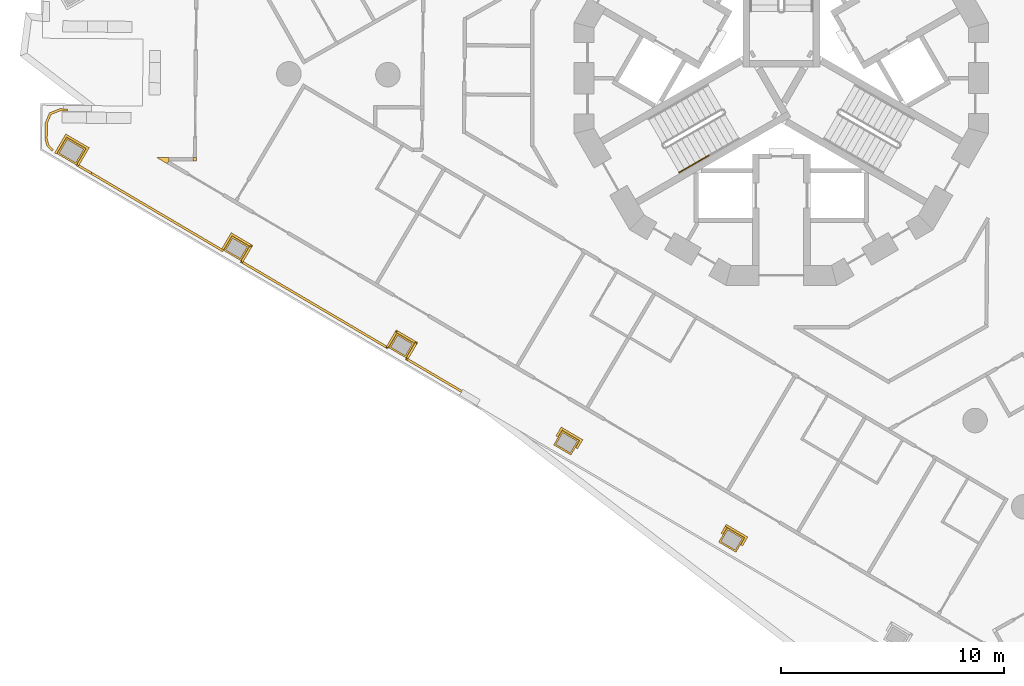
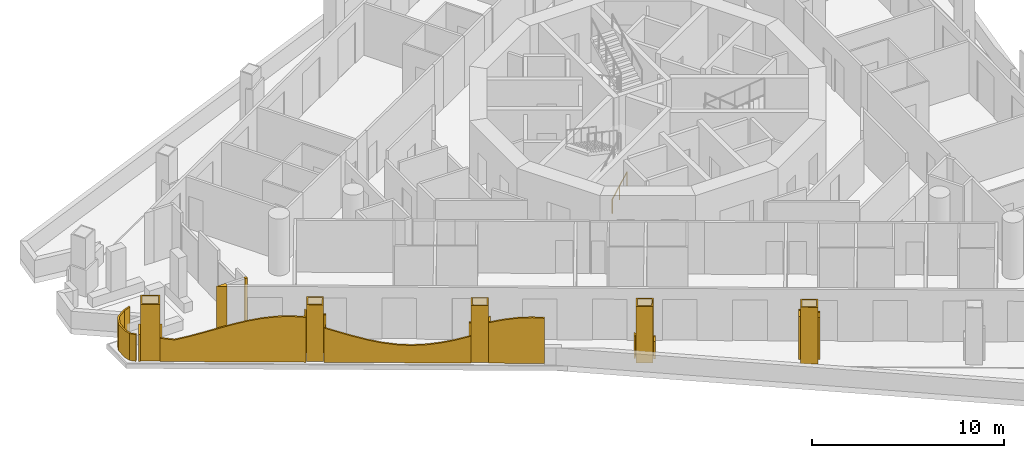
# One storey, part 11 of 18: 7 coverings, 5 railings.
"""IFC4 building model written with IfcOpenShell, lengths in metres."""

from ifc_helpers import new_model, si_unit, direction, frame, origin, origin_2d, place, context, subcontext, project, spatial, polyline, circle, outline, extrude, material, layer, layer_set, type_object, element, save


model = new_model("IFC4")

# Units and contexts
model_context = context("Model", 3, precision=1e-05, world=origin(), true_north=direction((0.0, 1.0)))
body_context = subcontext(model_context, "Body", "Model", "MODEL_VIEW")
ifc_project = project(units=[si_unit("LENGTHUNIT", "METRE"), si_unit("AREAUNIT", "SQUARE_METRE"), si_unit("VOLUMEUNIT", "CUBIC_METRE"), si_unit("PLANEANGLEUNIT", "RADIAN"), si_unit("MASSUNIT", "GRAM", prefix="KILO")], contexts=[model_context])

# Site, building, storey
site_placement = place(None, origin())
site = spatial("IfcSite", under=ifc_project, at=site_placement, CompositionType="ELEMENT")
building_placement = place(site_placement, origin())
building = spatial("IfcBuilding", under=site, at=building_placement, Name="Trine Commons Tower", CompositionType="ELEMENT")
storey_placement = place(building_placement, frame((0.0, 0.0, 161.10009765625)))
storey = spatial("IfcBuildingStorey", under=building, at=storey_placement, Name="L41", CompositionType="ELEMENT", Elevation=161.10009765625)

# Coverings
ifc_material_1 = material(Name="Aluminium-framed insulated wall panel", Category="aluminium")
ifc_layer_1 = layer(ifc_material_1, 0.14990234375)
ifc_layer_set_1 = layer_set([ifc_layer_1], Name="Aluminium-framed insulated wall panel")
covering_type_1 = type_object("IfcCoveringType", Name="Glazing corner post, aluminium", PredefinedType="CLADDING", material=ifc_layer_set_1)
covering_1_placement = place(storey_placement, origin())
element("IfcCovering", 1, at=covering_1_placement, inside=storey, type_object=covering_type_1, Name="Glazing corner post 5-01", PredefinedType="CLADDING", context=body_context, shape_type="SweptSolid", body=[
    extrude(outline(polyline([(52.519775390625, 58.669921875), (52.595947265625, 58.799072265625), (52.59716796875, 58.948974609375), (52.037353515625, 58.953857421875), (52.519775390625, 58.669921875)])), origin(), (0.0, 0.0, 1.0), 3.2998046875),
])
covering_2_placement = place(storey_placement, origin())
element("IfcCovering", 2, at=covering_2_placement, inside=storey, type_object=covering_type_1, Name="Glazing corner post 5-02", PredefinedType="CLADDING", context=body_context, shape_type="SweptSolid", body=[
    extrude(outline(polyline([(53.681640625, 58.78955078125), (53.83154296875, 58.7880859375), (53.8330078125, 58.938232421875), (53.682861328125, 58.939453125), (53.681640625, 58.78955078125)])), origin(), (0.0, 0.0, 1.0), 3.2998046875),
])
ifc_material_2 = material(Name="Limestone, honed", Category="masonry")
ifc_layer_2 = layer(ifc_material_2, 0.074951171875)
ifc_layer_set_2 = layer_set([ifc_layer_2], Name="Limestone, honed")
covering_type_2 = type_object("IfcCoveringType", Name="Limestone column cladding 75", PredefinedType="CLADDING", material=ifc_layer_set_2)
covering_3_placement = place(storey_placement, origin())
element("IfcCovering", 3, at=covering_3_placement, inside=storey, type_object=covering_type_2, Name="Limestone pier cladding 5-03", PredefinedType="CLADDING", context=body_context, shape_type="SweptSolid", body=[
    extrude(outline(polyline([(77.57568359375, 42.384521484375), (77.195068359375, 41.73828125), (77.970703125, 41.281494140625), (78.351318359375, 41.927734375), (77.57568359375, 42.384521484375)]), holes=[polyline([(77.602294921875, 42.28173828125), (77.2978515625, 41.764892578125), (77.944091796875, 41.38427734375), (78.24853515625, 41.901123046875), (77.602294921875, 42.28173828125)])]), origin(), (0.0, 0.0, 1.0), 3.599853515625),
])
covering_4_placement = place(storey_placement, origin())
element("IfcCovering", 4, at=covering_4_placement, inside=storey, type_object=covering_type_2, Name="Limestone pier cladding 5-04", PredefinedType="CLADDING", context=body_context, shape_type="SweptSolid", body=[
    extrude(outline(polyline([(70.191162109375, 46.734375), (69.810302734375, 46.088134765625), (70.5859375, 45.63134765625), (70.966552734375, 46.277587890625), (70.191162109375, 46.734375)]), holes=[polyline([(70.2177734375, 46.631591796875), (69.9130859375, 46.11474609375), (70.559326171875, 45.734130859375), (70.864013671875, 46.251220703125), (70.2177734375, 46.631591796875)])]), origin(), (0.0, 0.0, 1.0), 3.599853515625),
])
covering_5_placement = place(storey_placement, origin())
element("IfcCovering", 5, at=covering_5_placement, inside=storey, type_object=covering_type_2, Name="Limestone pier cladding 5-05", PredefinedType="CLADDING", context=body_context, shape_type="SweptSolid", body=[
    extrude(outline(polyline([(62.806396484375, 51.084228515625), (62.42578125, 50.43798828125), (63.201171875, 49.981201171875), (63.581787109375, 50.62744140625), (62.806396484375, 51.084228515625)]), holes=[polyline([(62.8330078125, 50.981689453125), (62.5283203125, 50.464599609375), (63.174560546875, 50.083984375), (63.479248046875, 50.60107421875), (62.8330078125, 50.981689453125)])]), origin(), (0.0, 0.0, 1.0), 3.599853515625),
])
covering_6_placement = place(storey_placement, origin())
element("IfcCovering", 6, at=covering_6_placement, inside=storey, type_object=covering_type_2, Name="Limestone pier cladding 5-06", PredefinedType="CLADDING", context=body_context, shape_type="SweptSolid", body=[
    extrude(outline(polyline([(55.421630859375, 55.43408203125), (55.041015625, 54.7880859375), (55.81640625, 54.331298828125), (56.197265625, 54.977294921875), (55.421630859375, 55.43408203125)]), holes=[polyline([(55.4482421875, 55.33154296875), (55.143798828125, 54.814453125), (55.789794921875, 54.433837890625), (56.094482421875, 54.950927734375), (55.4482421875, 55.33154296875)])]), origin(), (0.0, 0.0, 1.0), 3.599853515625),
])
covering_7_placement = place(storey_placement, origin())
element("IfcCovering", 7, at=covering_7_placement, inside=storey, type_object=covering_type_2, Name="Limestone pier cladding 5-07", PredefinedType="CLADDING", context=body_context, shape_type="SweptSolid", body=[
    extrude(outline(polyline([(48.019287109375, 59.8525390625), (47.587890625, 59.1201171875), (48.449462890625, 58.612548828125), (48.880859375, 59.344970703125), (48.019287109375, 59.8525390625)]), holes=[polyline([(48.0458984375, 59.75), (47.690673828125, 59.146728515625), (48.423095703125, 58.71533203125), (48.7783203125, 59.318603515625), (48.0458984375, 59.75)])]), origin(), (0.0, 0.0, 1.0), 3.599853515625),
])

# Railings
ifc_material_3 = material(Name="Stainless steel handrail", Category="steel")
railing_type_1 = type_object("IfcRailingType", Name="Stair handrail, steel 900", PredefinedType="HANDRAIL", material=ifc_material_3)
railing_1_placement = place(storey_placement, frame((75.43017578125, 58.27392578125, 0.14990234375)))
element("IfcRailing", 8, at=railing_1_placement, inside=storey, type_object=railing_type_1, Name="L41 ST2B stair handrail 1", PredefinedType="HANDRAIL", context=body_context, shape_type="SweptSolid", body=[
    extrude(circle(Radius=0.02099609375, at=origin_2d()), frame((0.0, 0.0, 0.87890625), z_axis=(0.76340495495, 0.440743040072, 0.472184759798), x_axis=(-0.499992328818, 0.866029832698, 0.0)), (0.0, 0.0, 1.0), 1.7470703125),
    extrude(circle(Radius=0.01513671875, at=origin_2d()), origin(), (0.0, 0.0, 1.0), 0.85791015625),
    extrude(circle(Radius=0.01513671875, at=origin_2d()), frame((0.6669921875, 0.385009765625, 0.41259765625)), (0.0, 0.0, 1.0), 0.85791015625),
    extrude(circle(Radius=0.01513671875, at=origin_2d()), frame((1.333740234375, 0.77001953125, 0.824951171875)), (0.0, 0.0, 1.0), 0.85791015625),
])
ifc_material_4 = material(Name="White powder-coated aluminium", Category="aluminium")
ifc_layer_3 = layer(ifc_material_4, 0.10009765625)
ifc_layer_set_3 = layer_set([ifc_layer_3], Name="White powder-coated aluminium")
railing_type_2 = type_object("IfcRailingType", Name="White balustrade band 100", PredefinedType="GUARDRAIL", material=ifc_layer_set_3)
railing_2_placement = place(storey_placement, origin())
element("IfcRailing", 9, at=railing_2_placement, inside=storey, type_object=railing_type_2, Name="Guard band L41 2", PredefinedType="GUARDRAIL", context=body_context, shape_type="SweptSolid", body=[
    extrude(outline(polyline([(0.0, 0.0), (0.46630859375, 0.0), (0.46630859375, 2.768310546875), (0.46630859375, 2.768310546875), (0.0, 2.670166015625), (0.0, 0.0)])), frame((78.1796875, 41.61669921875, 0.0), z_axis=(0.861759199374, -0.507317535962, 0.0), x_axis=(0.507317535962, 0.861759199374, 0.0)), (0.0, 0.0, 1.0), 0.10009765625),
    extrude(outline(polyline([(0.0, 0.0), (1.121826171875, 0.0), (1.12158203125, 2.890380859375), (0.560791015625, 2.840087890625), (0.0, 2.7490234375), (0.0, 0.0)])), frame((78.451416015625, 41.880126953125, 0.0), z_axis=(0.507533641699, 0.86163194146, 0.0), x_axis=(-0.86163194146, 0.507533641699, 0.0)), (0.0, 0.0, 1.0), 0.10009765625),
    extrude(outline(polyline([(0.0, 0.0), (0.465576171875, 0.0), (0.465576171875, 2.73095703125), (0.0, 2.88427734375), (0.0, 0.0)])), frame((77.623291015625, 42.48486328125, 0.0), z_axis=(-0.861583512807, 0.507615849298, 0.0), x_axis=(-0.507615849298, -0.861583512807, 0.0)), (0.0, 0.0, 1.0), 0.10009765625),
])
railing_3_placement = place(storey_placement, origin())
element("IfcRailing", 10, at=railing_3_placement, inside=storey, type_object=railing_type_2, Name="Guard band L41 3", PredefinedType="GUARDRAIL", context=body_context, shape_type="SweptSolid", body=[
    extrude(outline(polyline([(0.0, 0.0), (0.4658203125, 0.0), (0.4658203125, 1.150390625), (0.4658203125, 1.150390625), (0.0, 1.110595703125), (0.0, 0.0)])), frame((70.794677734375, 45.966796875, 0.0), z_axis=(0.861489342233, -0.507775652448, 0.0), x_axis=(0.507775652448, 0.861489342233, 0.0)), (0.0, 0.0, 1.0), 0.10009765625),
    extrude(outline(polyline([(0.0, 0.0), (1.12158203125, 0.0), (1.121826171875, 1.333984375), (0.560791015625, 1.2177734375), (0.0, 1.139404296875), (0.0, 0.0)])), frame((71.067138671875, 46.22998046875, 0.0), z_axis=(0.507372037804, 0.861727111825, 0.0), x_axis=(-0.861727111825, 0.507372037804, 0.0)), (0.0, 0.0, 1.0), 0.10009765625),
    extrude(outline(polyline([(0.0, 0.0), (0.46533203125, 0.0), (0.46533203125, 1.42724609375), (0.0, 1.310302734375), (0.0, 0.0)])), frame((70.238525390625, 46.834716796875, 0.0), z_axis=(-0.861812832498, 0.507226420588, 0.0), x_axis=(-0.507226420588, -0.861812832498, 0.0)), (0.0, 0.0, 1.0), 0.10009765625),
])
railing_4_placement = place(storey_placement, origin())
element("IfcRailing", 11, at=railing_4_placement, inside=storey, type_object=railing_type_2, Name="Guard band L41 4", PredefinedType="GUARDRAIL", context=body_context, shape_type="SweptSolid", body=[
    extrude(outline(polyline([(0.0, 0.0), (2.919677734375, 0.0), (2.919677734375, 2.564208984375), (2.91943359375, 2.564208984375), (2.154296875, 2.74658203125), (1.38916015625, 2.862060546875), (0.647705078125, 2.89990234375), (0.623779296875, 2.89990234375), (0.0, 2.86474609375), (0.0, 0.0)])), frame((65.686279296875, 48.43017578125, 0.0), z_axis=(0.507568170059, 0.861611602024, 0.0), x_axis=(-0.861611602024, 0.507568170059, 0.0)), (0.0, 0.0, 1.0), 0.10009765625),
    extrude(outline(polyline([(0.0, 0.0), (0.93701171875, 0.0), (0.93701171875, 2.30810546875), (0.468505859375, 2.45751953125), (0.0, 2.591796875), (0.0, 0.0)])), frame((63.17138671875, 49.9111328125, 0.0), z_axis=(0.861739888754, -0.507350336681, 0.0), x_axis=(0.507350336681, 0.861739888754, 0.0)), (0.0, 0.0, 1.0), 0.10009765625),
    extrude(outline(polyline([(0.0, 0.0), (1.122314453125, 0.0), (1.122314453125, 1.953369140625), (0.56103515625, 2.151123046875), (0.0, 2.341552734375), (0.0, 0.0)])), frame((63.682373046875, 50.579833984375, 0.0), z_axis=(0.507504882489, 0.861648881071, 0.0), x_axis=(-0.861648881071, 0.507504882489, 0.0)), (0.0, 0.0, 1.0), 0.10009765625),
    extrude(outline(polyline([(0.0, 0.0), (0.9365234375, 0.0), (0.936767578125, 1.666259765625), (0.46826171875, 1.824951171875), (0.0, 1.989501953125), (0.0, 0.0)])), frame((62.85400390625, 51.18505859375, 0.0), z_axis=(-0.861786754092, 0.507270727, 0.0), x_axis=(-0.507270727, -0.861786754092, 0.0)), (0.0, 0.0, 1.0), 0.10009765625),
    extrude(outline(polyline([(0.0, 0.0), (7.65185546875, 0.0), (7.65185546875, 2.1845703125), (6.88671875, 1.915283203125), (6.121337890625, 1.653564453125), (5.356201171875, 1.423095703125), (4.591064453125, 1.244140625), (3.825927734375, 1.13330078125), (3.130859375, 1.099853515625), (3.060791015625, 1.10009765625), (2.29541015625, 1.14794921875), (1.530517578125, 1.272216796875), (0.76513671875, 1.4619140625), (0.0, 1.69970703125), (0.0, 0.0)])), frame((62.37939453125, 50.378173828125, 0.0), z_axis=(0.507534557132, 0.861631402235, 0.0), x_axis=(-0.861631402235, 0.507534557132, 0.0)), (0.0, 0.0, 1.0), 0.10009765625),
    extrude(outline(polyline([(0.0, 0.0), (0.9365234375, 0.0), (0.9365234375, 2.458740234375), (0.46826171875, 2.30908203125), (0.0, 2.1494140625), (0.0, 0.0)])), frame((55.78662109375, 54.260986328125, 0.0), z_axis=(0.861605649191, -0.50757827503, 0.0), x_axis=(0.50757827503, 0.861605649191, 0.0)), (0.0, 0.0, 1.0), 0.10009765625),
    extrude(outline(polyline([(0.0, 0.0), (1.121826171875, 0.0), (1.12158203125, 2.724609375), (0.560791015625, 2.59033203125), (0.0, 2.427490234375), (0.0, 0.0)])), frame((56.297607421875, 54.9296875, 0.0), z_axis=(0.507533641699, 0.86163194146, 0.0), x_axis=(-0.86163194146, 0.507533641699, 0.0)), (0.0, 0.0, 1.0), 0.10009765625),
    extrude(outline(polyline([(0.0, 0.0), (0.937255859375, 0.0), (0.93701171875, 2.85791015625), (0.468505859375, 2.72998046875), (0.0, 2.70263671875), (0.0, 0.0)])), frame((55.469482421875, 55.534912109375, 0.0), z_axis=(-0.861693049497, 0.507429885254, 0.0), x_axis=(-0.507429885254, -0.861693049497, 0.0)), (0.0, 0.0, 1.0), 0.10009765625),
    extrude(outline(polyline([(0.0, 0.0), (7.602783203125, 0.0), (7.602783203125, 1.472412109375), (6.842529296875, 1.37158203125), (6.082275390625, 1.58935546875), (5.322021484375, 1.84326171875), (4.561767578125, 2.111328125), (3.801513671875, 2.369384765625), (3.041015625, 2.594482421875), (2.28076171875, 2.76708984375), (1.5205078125, 2.87158203125), (0.881591796875, 2.89990234375), (0.76025390625, 2.89892578125), (0.0, 2.846435546875), (0.0, 0.0)])), frame((54.9951171875, 54.727783203125, 0.0), z_axis=(0.507532262703, 0.861632753739, 0.0), x_axis=(-0.861632753739, 0.507532262703, 0.0)), (0.0, 0.0, 1.0), 0.10009765625),
    extrude(outline(polyline([(0.0, 0.0), (0.987060546875, 0.0), (0.98681640625, 1.699951171875), (0.493408203125, 1.6513671875), (0.0, 1.4375), (0.0, 0.0)])), frame((48.445068359375, 58.585693359375, 0.0), z_axis=(0.861590624305, -0.50760377866, 0.0), x_axis=(0.50760377866, 0.861590624305, 0.0)), (0.0, 0.0, 1.0), 0.10009765625),
    extrude(outline(polyline([(0.0, 0.0), (1.22119140625, 0.0), (1.22119140625, 1.699951171875), (0.610595703125, 1.699951171875), (0.486572265625, 1.699951171875), (0.0, 1.699951171875), (0.0, 0.0)])), frame((48.981201171875, 59.297607421875, 0.0), z_axis=(0.507421986998, 0.861697700537, 0.0), x_axis=(-0.861697700537, 0.507421986998, 0.0)), (0.0, 0.0, 1.0), 0.10009765625),
    extrude(outline(polyline([(0.0, 0.0), (0.986572265625, 0.0), (0.986328125, 1.699951171875), (0.4931640625, 1.699951171875), (0.0, 1.699951171875), (0.0, 0.0)])), frame((48.06689453125, 59.953125, 0.0), z_axis=(-0.861743291503, 0.507344557031, 0.0), x_axis=(-0.507344557031, -0.861743291503, 0.0)), (0.0, 0.0, 1.0), 0.10009765625),
])
railing_5_placement = place(storey_placement, origin())
element("IfcRailing", 12, at=railing_5_placement, inside=storey, type_object=railing_type_2, Name="Guard band L41 5", PredefinedType="GUARDRAIL", context=body_context, shape_type="SweptSolid", body=[
    extrude(outline(polyline([(0.0, 0.0), (0.33251953125, 0.0), (0.33251953125, 1.699951171875), (0.0, 1.699951171875), (0.0, 0.0)])), frame((47.364990234375, 59.221923828125, 0.0), z_axis=(0.713684088491, 0.700467716482, 0.0), x_axis=(-0.700467716482, 0.713684088491, 0.0)), (0.0, 0.0, 1.0), 0.10009765625),
    extrude(outline(polyline([(0.0, 0.0), (0.33203125, 0.0), (0.33203125, 1.699951171875), (0.0, 1.699951171875), (0.0, 0.0)])), frame((47.133056640625, 59.458251953125, 0.0), z_axis=(0.968076213747, 0.250656028009, 0.0), x_axis=(-0.250656028009, 0.968076213747, 0.0)), (0.0, 0.0, 1.0), 0.10009765625),
    extrude(outline(polyline([(0.0, 0.0), (0.720703125, 0.0), (0.720458984375, 1.699951171875), (0.0, 1.699951171875), (0.0, 0.0)])), frame((47.0498046875, 59.778076171875, 0.0), z_axis=(0.999961215453, -0.008807246478, 0.0), x_axis=(0.008807246478, 0.999961215453, 0.0)), (0.0, 0.0, 1.0), 0.10009765625),
    extrude(outline(polyline([(0.0, 0.0), (0.49169921875, 0.0), (0.491943359375, 1.843505859375), (0.0, 1.699951171875), (0.0, 0.0)])), frame((47.055908203125, 60.496826171875, 0.0), z_axis=(0.920500622845, -0.390741095026, 0.0), x_axis=(0.390741095026, 0.920500622845, 0.0)), (0.0, 0.0, 1.0), 0.10009765625),
    extrude(outline(polyline([(0.0, 0.0), (0.491455078125, 0.0), (0.491455078125, 2.001220703125), (0.0, 1.82861328125), (0.0, 0.0)])), frame((47.246826171875, 60.947998046875, 0.0), z_axis=(0.374643781772, -0.927168828628, 0.0), x_axis=(0.927168828628, 0.374643781772, 0.0)), (0.0, 0.0, 1.0), 0.10009765625),
    extrude(outline(polyline([(0.0, 0.0), (0.356689453125, 0.0), (0.356689453125, 2.11865234375), (0.0, 1.99365234375), (0.0, 0.0)])), frame((47.700927734375, 61.1318359375, 0.0), z_axis=(-0.00889766283, -0.999960415015, 0.0), x_axis=(0.999960415015, -0.00889766283, 0.0)), (0.0, 0.0, 1.0), 0.10009765625),
])

save(model, "model.ifc")
